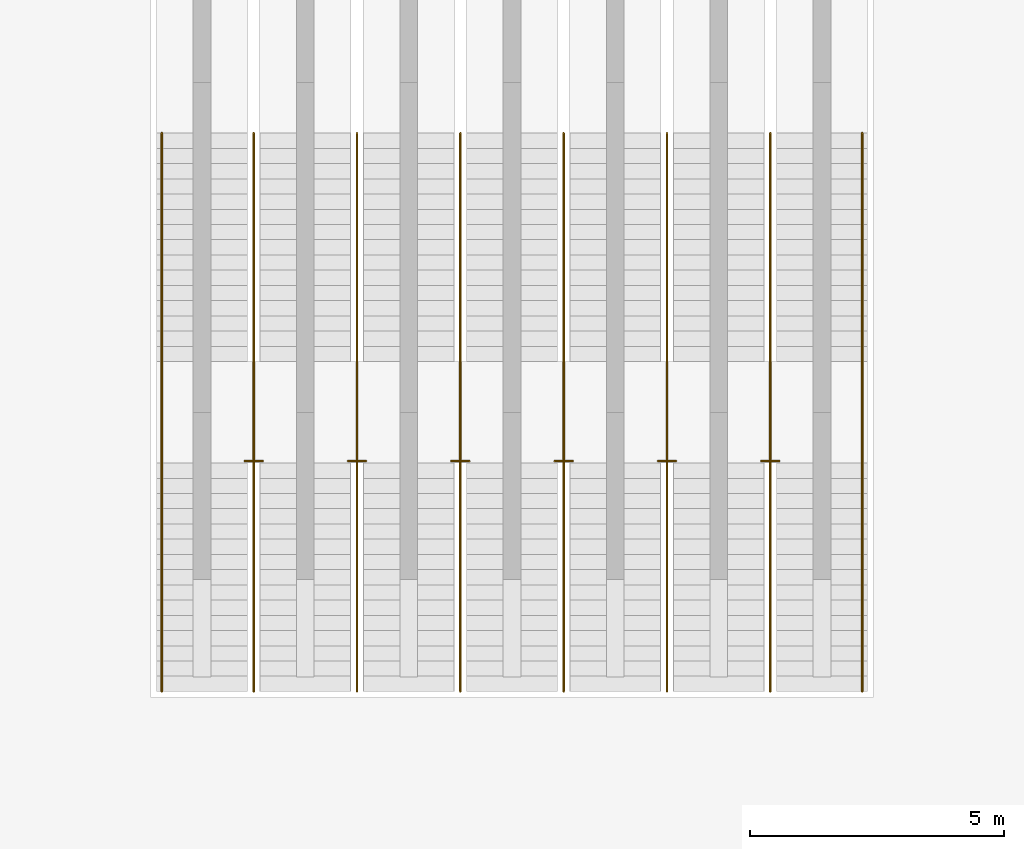
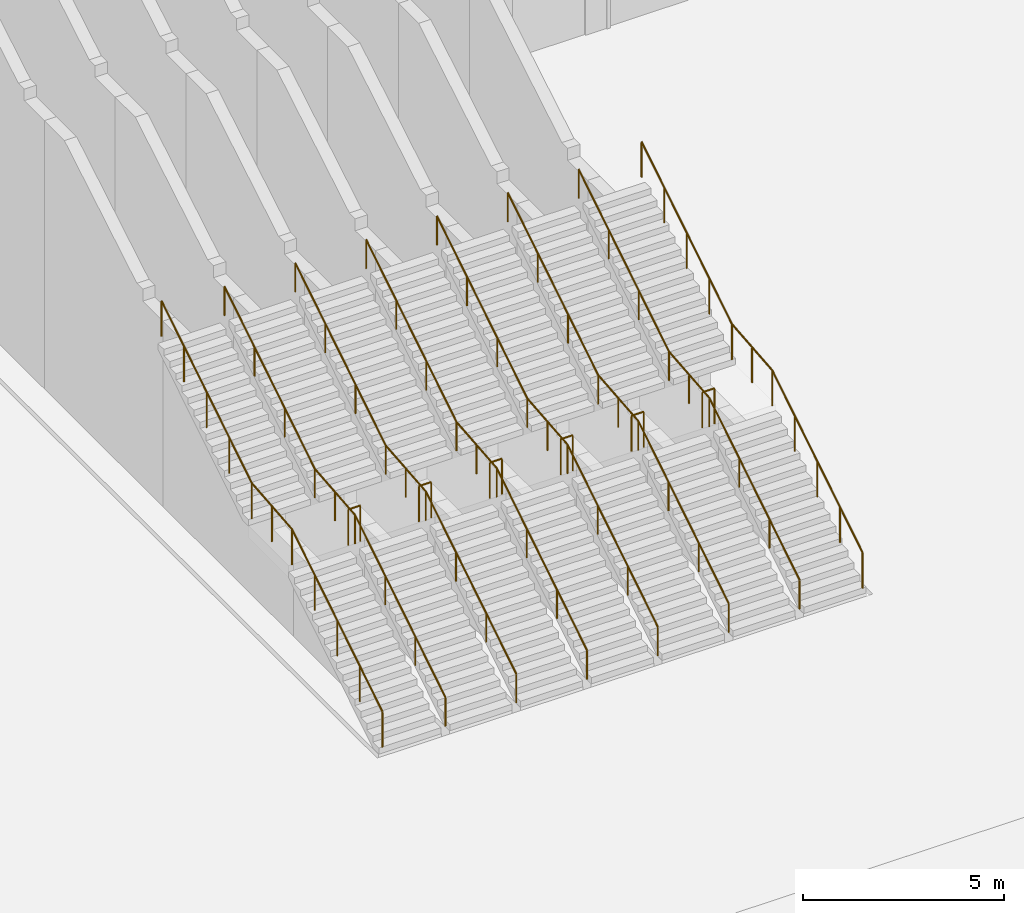
# One storey, part 27 of 32: 14 railings.
"""IFC4 building model written with IfcOpenShell, lengths in metres."""

from ifc_helpers import new_model, si_unit, direction, frame, origin, origin_2d, place, context, subcontext, project, spatial, circle, extrude, material, type_object, element, save


model = new_model("IFC4")

# Units and contexts
model_context = context("Model", 3, precision=1e-05, world=origin(), true_north=direction((0.0, 1.0)))
body_context = subcontext(model_context, "Body", "Model", "MODEL_VIEW")
ifc_project = project(units=[si_unit("LENGTHUNIT", "METRE"), si_unit("AREAUNIT", "SQUARE_METRE"), si_unit("VOLUMEUNIT", "CUBIC_METRE"), si_unit("PLANEANGLEUNIT", "RADIAN"), si_unit("MASSUNIT", "GRAM", prefix="KILO")], contexts=[model_context])

# Site, building, storey
site_placement = place(None, origin())
site = spatial("IfcSite", under=ifc_project, at=site_placement, CompositionType="ELEMENT")
building_placement = place(site_placement, origin())
building = spatial("IfcBuilding", under=site, at=building_placement, Name="Welwitschia Terrace Campus", CompositionType="ELEMENT")
storey_placement = place(building_placement, origin())
storey = spatial("IfcBuildingStorey", under=building, at=storey_placement, Name="L00", CompositionType="ELEMENT", Elevation=0.0)

# Railings
ifc_material_1 = material(Name="Stainless steel grade 316", Category="steel")
railing_type_1 = type_object("IfcRailingType", Name="Guard 1100", PredefinedType="GUARDRAIL", material=ifc_material_1)
railing_1_placement = place(storey_placement, frame((38.10009765625, -34.60009765625, 0.1875)))
element("IfcRailing", 1, at=railing_1_placement, inside=storey, type_object=railing_type_1, Name="Stair guard", PredefinedType="GUARDRAIL", context=body_context, shape_type="SweptSolid", body=[
    extrude(circle(Radius=0.02392578125, at=origin_2d()), frame((0.0, 0.0, 1.076171875), z_axis=(0.0, 0.847998304005, 0.529998940003), x_axis=(-1.0, 0.0, 0.0)), (0.0, 0.0, 1.0), 5.306640625),
    extrude(circle(Radius=0.02392578125, at=origin_2d()), frame((0.0, 4.5, 3.888671875), z_axis=(0.0, 0.995634226059, 0.093340708693), x_axis=(-1.0, 0.0, 0.0)), (0.0, 0.0, 1.0), 2.0087890625),
    extrude(circle(Radius=0.02392578125, at=origin_2d()), frame((0.0, 6.5, 4.076171875), z_axis=(0.0, 0.847998304005, 0.529998940003), x_axis=(-1.0, 0.0, 0.0)), (0.0, 0.0, 1.0), 5.306640625),
    extrude(circle(Radius=0.02099609375, at=origin_2d()), origin(), (0.0, 0.0, 1.0), 1.052001953125),
    extrude(circle(Radius=0.02099609375, at=origin_2d()), frame((0.0, 1.125, 0.703125)), (0.0, 0.0, 1.0), 1.052001953125),
    extrude(circle(Radius=0.02099609375, at=origin_2d()), frame((0.0, 2.25, 1.40625)), (0.0, 0.0, 1.0), 1.052001953125),
    extrude(circle(Radius=0.02099609375, at=origin_2d()), frame((0.0, 3.375, 2.109375)), (0.0, 0.0, 1.0), 1.052001953125),
    extrude(circle(Radius=0.02099609375, at=origin_2d()), frame((0.0, 4.5, 2.8125)), (0.0, 0.0, 1.0), 1.052001953125),
    extrude(circle(Radius=0.02099609375, at=origin_2d()), frame((0.0, 5.5, 2.90625)), (0.0, 0.0, 1.0), 1.052001953125),
    extrude(circle(Radius=0.02099609375, at=origin_2d()), frame((0.0, 6.5, 3.0)), (0.0, 0.0, 1.0), 1.052001953125),
    extrude(circle(Radius=0.02099609375, at=origin_2d()), frame((0.0, 7.625, 3.703125)), (0.0, 0.0, 1.0), 1.052001953125),
    extrude(circle(Radius=0.02099609375, at=origin_2d()), frame((0.0, 8.75, 4.40625)), (0.0, 0.0, 1.0), 1.052001953125),
    extrude(circle(Radius=0.02099609375, at=origin_2d()), frame((0.0, 9.875, 5.109375)), (0.0, 0.0, 1.0), 1.052001953125),
    extrude(circle(Radius=0.02099609375, at=origin_2d()), frame((0.0, 11.0, 5.8125)), (0.0, 0.0, 1.0), 1.052001953125),
])
railing_2_placement = place(storey_placement, frame((51.89990234375, -34.60009765625, 0.1875)))
element("IfcRailing", 2, at=railing_2_placement, inside=storey, type_object=railing_type_1, Name="Stair guard", PredefinedType="GUARDRAIL", context=body_context, shape_type="SweptSolid", body=[
    extrude(circle(Radius=0.02392578125, at=origin_2d()), frame((0.0, 0.0, 1.076171875), z_axis=(0.0, 0.847998304005, 0.529998940003), x_axis=(-1.0, 0.0, 0.0)), (0.0, 0.0, 1.0), 5.306640625),
    extrude(circle(Radius=0.02392578125, at=origin_2d()), frame((0.0, 4.5, 3.888671875), z_axis=(0.0, 0.995634226059, 0.093340708693), x_axis=(-1.0, 0.0, 0.0)), (0.0, 0.0, 1.0), 2.0087890625),
    extrude(circle(Radius=0.02392578125, at=origin_2d()), frame((0.0, 6.5, 4.076171875), z_axis=(0.0, 0.847998304005, 0.529998940003), x_axis=(-1.0, 0.0, 0.0)), (0.0, 0.0, 1.0), 5.306640625),
    extrude(circle(Radius=0.02099609375, at=origin_2d()), origin(), (0.0, 0.0, 1.0), 1.052001953125),
    extrude(circle(Radius=0.02099609375, at=origin_2d()), frame((0.0, 1.125, 0.703125)), (0.0, 0.0, 1.0), 1.052001953125),
    extrude(circle(Radius=0.02099609375, at=origin_2d()), frame((0.0, 2.25, 1.40625)), (0.0, 0.0, 1.0), 1.052001953125),
    extrude(circle(Radius=0.02099609375, at=origin_2d()), frame((0.0, 3.375, 2.109375)), (0.0, 0.0, 1.0), 1.052001953125),
    extrude(circle(Radius=0.02099609375, at=origin_2d()), frame((0.0, 4.5, 2.8125)), (0.0, 0.0, 1.0), 1.052001953125),
    extrude(circle(Radius=0.02099609375, at=origin_2d()), frame((0.0, 5.5, 2.90625)), (0.0, 0.0, 1.0), 1.052001953125),
    extrude(circle(Radius=0.02099609375, at=origin_2d()), frame((0.0, 6.5, 3.0)), (0.0, 0.0, 1.0), 1.052001953125),
    extrude(circle(Radius=0.02099609375, at=origin_2d()), frame((0.0, 7.625, 3.703125)), (0.0, 0.0, 1.0), 1.052001953125),
    extrude(circle(Radius=0.02099609375, at=origin_2d()), frame((0.0, 8.75, 4.40625)), (0.0, 0.0, 1.0), 1.052001953125),
    extrude(circle(Radius=0.02099609375, at=origin_2d()), frame((0.0, 9.875, 5.109375)), (0.0, 0.0, 1.0), 1.052001953125),
    extrude(circle(Radius=0.02099609375, at=origin_2d()), frame((0.0, 11.0, 5.8125)), (0.0, 0.0, 1.0), 1.052001953125),
])
railing_3_placement = place(storey_placement, frame((39.735595703125, -30.06005859375, 3.0)))
element("IfcRailing", 3, at=railing_3_placement, inside=storey, type_object=railing_type_1, Name="Stair guard", PredefinedType="GUARDRAIL", context=body_context, shape_type="SweptSolid", body=[
    extrude(circle(Radius=0.02392578125, at=origin_2d()), frame((0.0, 0.0, 1.076171875), z_axis=(1.0, 0.0, 0.0), x_axis=(0.0, 1.0, 0.0)), (0.0, 0.0, 1.0), 0.35009765625),
    extrude(circle(Radius=0.02099609375, at=origin_2d()), origin(), (0.0, 0.0, 1.0), 1.052001953125),
    extrude(circle(Radius=0.02099609375, at=origin_2d()), frame((0.35009765625, 0.0, 0.0)), (0.0, 0.0, 1.0), 1.052001953125),
])
for number, where, name in (
    (4, (41.771484375, -30.06005859375, 3.0), "Stair guard"),
    (5, (43.80712890625, -30.06005859375, 3.0), "Stair guard"),
    (6, (45.843017578125, -30.06005859375, 3.0), "Stair guard"),
    (7, (47.878662109375, -30.06005859375, 3.0), "Stair guard"),
):
    element("IfcRailing", number, at=place(storey_placement, frame(where)), inside=storey, type_object=railing_type_1, Name=name, PredefinedType="GUARDRAIL", context=body_context, shape_type="SweptSolid", body=[
        extrude(circle(Radius=0.02392578125, at=origin_2d()), frame((0.0, 0.0, 1.076171875), z_axis=(1.0, 0.0, 0.0), x_axis=(0.0, 1.0, 0.0)), (0.0, 0.0, 1.0), 0.349853515625),
        extrude(circle(Radius=0.02099609375, at=origin_2d()), origin(), (0.0, 0.0, 1.0), 1.052001953125),
        extrude(circle(Radius=0.02099609375, at=origin_2d()), frame((0.349853515625, 0.0, 0.0)), (0.0, 0.0, 1.0), 1.052001953125),
    ])
railing_4_placement = place(storey_placement, frame((49.914306640625, -30.06005859375, 3.0)))
element("IfcRailing", 8, at=railing_4_placement, inside=storey, type_object=railing_type_1, Name="Stair guard", PredefinedType="GUARDRAIL", context=body_context, shape_type="SweptSolid", body=[
    extrude(circle(Radius=0.02392578125, at=origin_2d()), frame((0.0, 0.0, 1.076171875), z_axis=(1.0, 0.0, 0.0), x_axis=(0.0, 1.0, 0.0)), (0.0, 0.0, 1.0), 0.35009765625),
    extrude(circle(Radius=0.02099609375, at=origin_2d()), origin(), (0.0, 0.0, 1.0), 1.052001953125),
    extrude(circle(Radius=0.02099609375, at=origin_2d()), frame((0.35009765625, 0.0, 0.0)), (0.0, 0.0, 1.0), 1.052001953125),
])
ifc_material_2 = material(Name="Stainless steel grade 316", Category="steel")
railing_type_2 = type_object("IfcRailingType", Name="Handrail 900", PredefinedType="HANDRAIL", material=ifc_material_2)
for number, where, name in (
    (9, (39.91064453125, -34.60009765625, 0.1875), "Stair handrail"),
    (10, (41.9462890625, -34.60009765625, 0.1875), "Stair handrail"),
    (11, (43.982177734375, -34.60009765625, 0.1875), "Stair handrail"),
    (12, (46.017822265625, -34.60009765625, 0.1875), "Stair handrail"),
    (13, (48.0537109375, -34.60009765625, 0.1875), "Stair handrail"),
    (14, (50.08935546875, -34.60009765625, 0.1875), "Stair handrail"),
):
    element("IfcRailing", number, at=place(storey_placement, frame(where)), inside=storey, type_object=railing_type_2, Name=name, PredefinedType="HANDRAIL", context=body_context, shape_type="SweptSolid", body=[
        extrude(circle(Radius=0.02392578125, at=origin_2d()), frame((0.0, 0.0, 0.8759765625), z_axis=(0.0, 0.847998304005, 0.529998940003), x_axis=(-1.0, 0.0, 0.0)), (0.0, 0.0, 1.0), 5.306640625),
        extrude(circle(Radius=0.02392578125, at=origin_2d()), frame((0.0, 4.5, 3.6884765625), z_axis=(0.0, 0.995634226059, 0.093340708693), x_axis=(-1.0, 0.0, 0.0)), (0.0, 0.0, 1.0), 2.0087890625),
        extrude(circle(Radius=0.02392578125, at=origin_2d()), frame((0.0, 6.5, 3.8759765625), z_axis=(0.0, 0.847998304005, 0.529998940003), x_axis=(-1.0, 0.0, 0.0)), (0.0, 0.0, 1.0), 5.306640625),
        extrude(circle(Radius=0.02099609375, at=origin_2d()), origin(), (0.0, 0.0, 1.0), 0.851806640625),
        extrude(circle(Radius=0.02099609375, at=origin_2d()), frame((0.0, 1.5, 0.9375)), (0.0, 0.0, 1.0), 0.851806640625),
        extrude(circle(Radius=0.02099609375, at=origin_2d()), frame((0.0, 3.0, 1.875)), (0.0, 0.0, 1.0), 0.851806640625),
        extrude(circle(Radius=0.02099609375, at=origin_2d()), frame((0.0, 4.5, 2.8125)), (0.0, 0.0, 1.0), 0.851806640625),
        extrude(circle(Radius=0.02099609375, at=origin_2d()), frame((0.0, 5.5, 2.90625)), (0.0, 0.0, 1.0), 0.851806640625),
        extrude(circle(Radius=0.02099609375, at=origin_2d()), frame((0.0, 6.5, 3.0)), (0.0, 0.0, 1.0), 0.851806640625),
        extrude(circle(Radius=0.02099609375, at=origin_2d()), frame((0.0, 8.0, 3.9375)), (0.0, 0.0, 1.0), 0.851806640625),
        extrude(circle(Radius=0.02099609375, at=origin_2d()), frame((0.0, 9.5, 4.875)), (0.0, 0.0, 1.0), 0.851806640625),
        extrude(circle(Radius=0.02099609375, at=origin_2d()), frame((0.0, 11.0, 5.8125)), (0.0, 0.0, 1.0), 0.851806640625),
    ])

save(model, "model.ifc")
